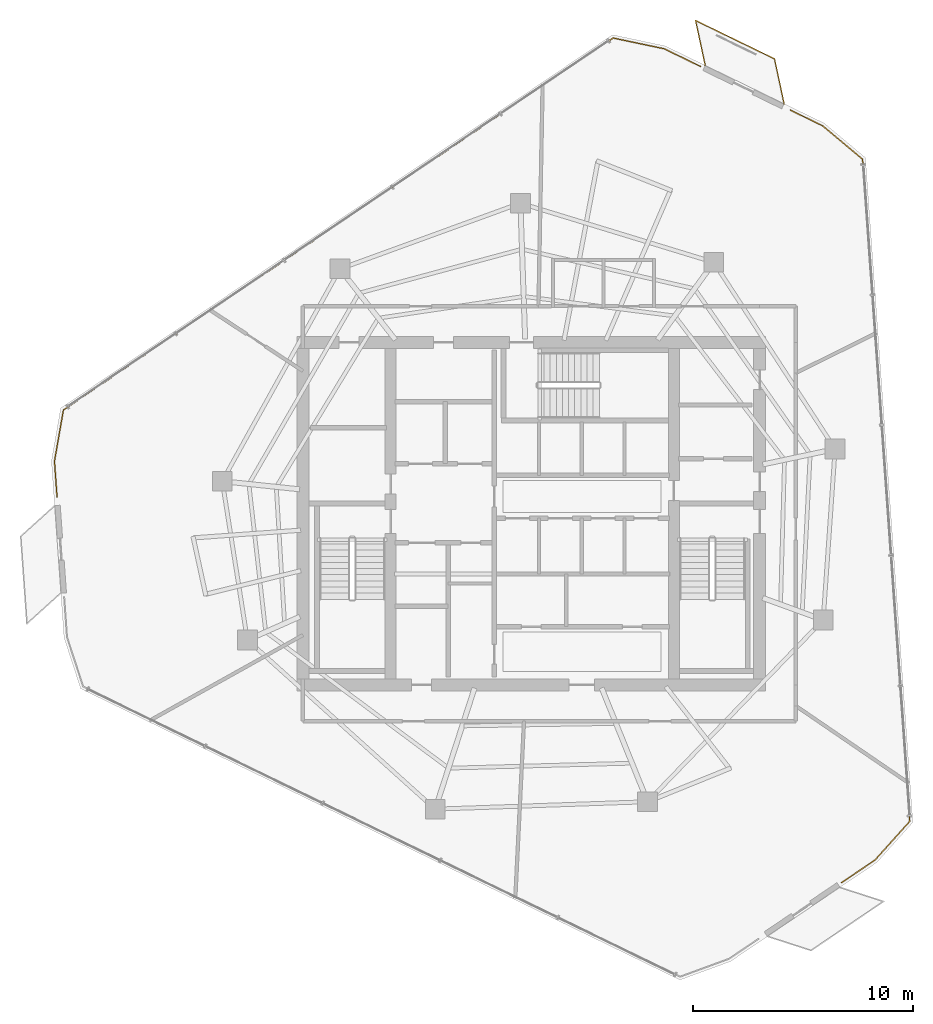
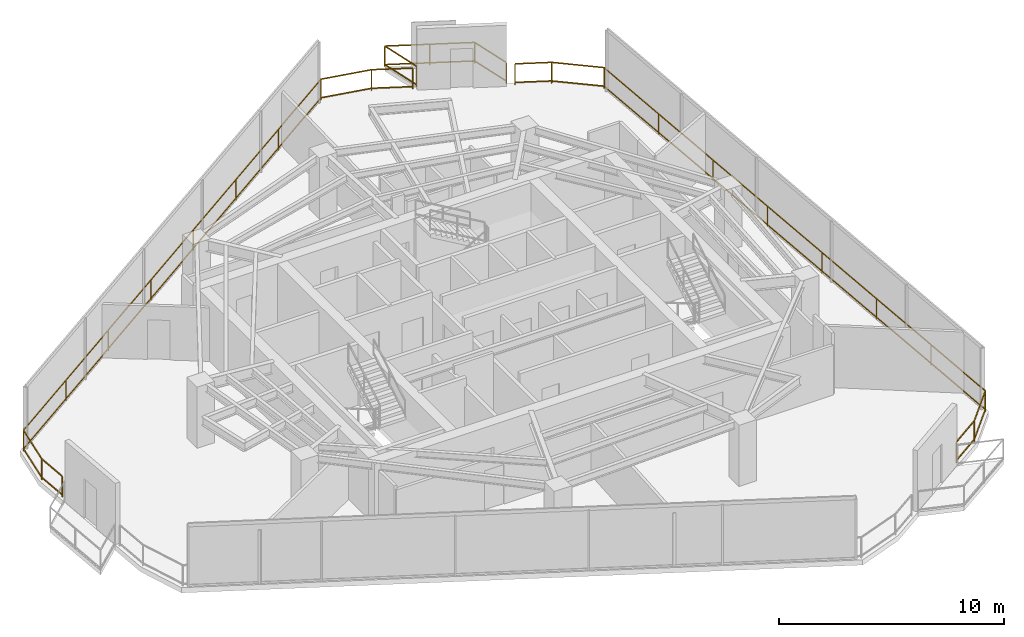
# One storey, part 20 of 20: 4 railings.
"""IFC4 building model written with IfcOpenShell, lengths in metres."""

from ifc_helpers import new_model, si_unit, direction, frame, origin, origin_2d, place, context, subcontext, project, spatial, rectangle, extrude, material, type_object, element, save


model = new_model("IFC4")

# Units and contexts
model_context = context("Model", 3, precision=1e-05, world=origin(), true_north=direction((0.0, 1.0)))
body_context = subcontext(model_context, "Body", "Model", "MODEL_VIEW")
ifc_project = project(units=[si_unit("LENGTHUNIT", "METRE"), si_unit("AREAUNIT", "SQUARE_METRE"), si_unit("VOLUMEUNIT", "CUBIC_METRE"), si_unit("PLANEANGLEUNIT", "RADIAN"), si_unit("MASSUNIT", "GRAM", prefix="KILO")], contexts=[model_context])

# Site, building, storey
site_placement = place(None, origin())
site = spatial("IfcSite", under=ifc_project, at=site_placement, CompositionType="ELEMENT")
building_placement = place(site_placement, origin())
building = spatial("IfcBuilding", under=site, at=building_placement, Name="Qarnah Convention Tower", CompositionType="ELEMENT")
storey_placement = place(building_placement, frame((0.0, 0.0, 195.0)))
storey = spatial("IfcBuildingStorey", under=building, at=storey_placement, Name="L52", CompositionType="ELEMENT", Elevation=195.0)

# Railings
ifc_material = material(Name="Black anodised aluminium", Category="aluminium")
railing_type = type_object("IfcRailingType", Name="RL-EXT-GUARD-1150", PredefinedType="GUARDRAIL", material=ifc_material)
railing_1_placement = place(storey_placement, frame((43.251953125, 47.574951171875, 0.0)))
element("IfcRailing", 1, at=railing_1_placement, inside=storey, type_object=railing_type, Name="L52 slab-edge perimeter safety guard 01", PredefinedType="GUARDRAIL", context=body_context, shape_type="SweptSolid", body=[
    extrude(rectangle(XDim=0.048095703125, YDim=0.048095703125, at=origin_2d()), frame((0.0, 0.0, 1.1259765625), z_axis=(0.899383059768, -0.437161425336, 0.0), x_axis=(0.437161425336, 0.899383059768, 0.0)), (0.0, 0.0, 1.0), 1.84130859375),
    extrude(rectangle(XDim=0.048095703125, YDim=0.048095703125, at=origin_2d()), frame((0.0, 0.0, 0.1201171875), z_axis=(0.899383059768, -0.437161425336, 0.0), x_axis=(0.437161425336, 0.899383059768, 0.0)), (0.0, 0.0, 1.0), 1.84130859375),
    extrude(rectangle(XDim=0.0419921875, YDim=0.0419921875, at=origin_2d()), origin(), (0.0, 0.0, 1.0), 1.101806640625),
    extrude(rectangle(XDim=0.0419921875, YDim=0.0419921875, at=origin_2d()), frame((1.656005859375, -0.804931640625, 0.0)), (0.0, 0.0, 1.0), 1.101806640625),
])
railing_2_placement = place(storey_placement, frame((49.007080078125, 44.778076171875, 0.0)))
element("IfcRailing", 2, at=railing_2_placement, inside=storey, type_object=railing_type, Name="L52 slab-edge perimeter safety guard 02", PredefinedType="GUARDRAIL", context=body_context, shape_type="SweptSolid", body=[
    extrude(rectangle(XDim=0.048095703125, YDim=0.048095703125, at=origin_2d()), frame((0.0, 0.0, 1.1259765625), z_axis=(0.899348207615, -0.437233120269, 0.0), x_axis=(0.437233120269, 0.899348207615, 0.0)), (0.0, 0.0, 1.0), 1.628662109375),
    extrude(rectangle(XDim=0.048095703125, YDim=0.048095703125, at=origin_2d()), frame((0.0, 0.0, 0.1201171875), z_axis=(0.899348207615, -0.437233120269, 0.0), x_axis=(0.437233120269, 0.899348207615, 0.0)), (0.0, 0.0, 1.0), 1.628662109375),
    extrude(rectangle(XDim=0.048095703125, YDim=0.048095703125, at=origin_2d()), frame((1.46484375, -0.712158203125, 1.1259765625), z_axis=(0.766962651303, -0.641691741809, 0.0), x_axis=(0.641691741809, 0.766962651303, 0.0)), (0.0, 0.0, 1.0), 2.371826171875),
    extrude(rectangle(XDim=0.048095703125, YDim=0.048095703125, at=origin_2d()), frame((1.46484375, -0.712158203125, 0.1201171875), z_axis=(0.766962651303, -0.641691741809, 0.0), x_axis=(0.641691741809, 0.766962651303, 0.0)), (0.0, 0.0, 1.0), 2.371826171875),
    extrude(rectangle(XDim=0.048095703125, YDim=0.048095703125, at=origin_2d()), frame((3.283935546875, -2.234130859375, 1.1259765625), z_axis=(0.071114476956, -0.997468160478, 0.0), x_axis=(0.997468160478, 0.071114476956, 0.0)), (0.0, 0.0, 1.0), 30.231689453125),
    extrude(rectangle(XDim=0.048095703125, YDim=0.048095703125, at=origin_2d()), frame((3.283935546875, -2.234130859375, 0.1201171875), z_axis=(0.071114476956, -0.997468160478, 0.0), x_axis=(0.997468160478, 0.071114476956, 0.0)), (0.0, 0.0, 1.0), 30.231689453125),
    extrude(rectangle(XDim=0.048095703125, YDim=0.048095703125, at=origin_2d()), frame((5.433837890625, -32.38916015625, 1.1259765625), z_axis=(-0.668139335387, -0.744036174194, 0.0), x_axis=(0.744036174194, -0.668139335387, 0.0)), (0.0, 0.0, 1.0), 2.370849609375),
    extrude(rectangle(XDim=0.048095703125, YDim=0.048095703125, at=origin_2d()), frame((5.433837890625, -32.38916015625, 0.1201171875), z_axis=(-0.668139335387, -0.744036174194, 0.0), x_axis=(0.744036174194, -0.668139335387, 0.0)), (0.0, 0.0, 1.0), 2.370849609375),
    extrude(rectangle(XDim=0.048095703125, YDim=0.048095703125, at=origin_2d()), frame((3.849853515625, -34.153076171875, 1.1259765625), z_axis=(-0.828254432718, -0.560352205923, 0.0), x_axis=(0.560352205923, -0.828254432718, 0.0)), (0.0, 0.0, 1.0), 1.83984375),
    extrude(rectangle(XDim=0.048095703125, YDim=0.048095703125, at=origin_2d()), frame((3.849853515625, -34.153076171875, 0.1201171875), z_axis=(-0.828254432718, -0.560352205923, 0.0), x_axis=(0.560352205923, -0.828254432718, 0.0)), (0.0, 0.0, 1.0), 1.83984375),
    extrude(rectangle(XDim=0.0419921875, YDim=0.0419921875, at=origin_2d()), origin(), (0.0, 0.0, 1.0), 1.101806640625),
    extrude(rectangle(XDim=0.0419921875, YDim=0.0419921875, at=origin_2d()), frame((1.46484375, -0.712158203125, 0.0)), (0.0, 0.0, 1.0), 1.101806640625),
    extrude(rectangle(XDim=0.0419921875, YDim=0.0419921875, at=origin_2d()), frame((3.283935546875, -2.234130859375, 0.0)), (0.0, 0.0, 1.0), 1.101806640625),
    extrude(rectangle(XDim=0.0419921875, YDim=0.0419921875, at=origin_2d()), frame((3.591064453125, -6.5419921875, 0.0)), (0.0, 0.0, 1.0), 1.101806640625),
    extrude(rectangle(XDim=0.0419921875, YDim=0.0419921875, at=origin_2d()), frame((3.898193359375, -10.849853515625, 0.0)), (0.0, 0.0, 1.0), 1.101806640625),
    extrude(rectangle(XDim=0.0419921875, YDim=0.0419921875, at=origin_2d()), frame((4.205322265625, -15.15771484375, 0.0)), (0.0, 0.0, 1.0), 1.101806640625),
    extrude(rectangle(XDim=0.0419921875, YDim=0.0419921875, at=origin_2d()), frame((4.512451171875, -19.465576171875, 0.0)), (0.0, 0.0, 1.0), 1.101806640625),
    extrude(rectangle(XDim=0.0419921875, YDim=0.0419921875, at=origin_2d()), frame((4.819580078125, -23.7734375, 0.0)), (0.0, 0.0, 1.0), 1.101806640625),
    extrude(rectangle(XDim=0.0419921875, YDim=0.0419921875, at=origin_2d()), frame((5.126708984375, -28.081298828125, 0.0)), (0.0, 0.0, 1.0), 1.101806640625),
    extrude(rectangle(XDim=0.0419921875, YDim=0.0419921875, at=origin_2d()), frame((5.433837890625, -32.38916015625, 0.0)), (0.0, 0.0, 1.0), 1.101806640625),
    extrude(rectangle(XDim=0.0419921875, YDim=0.0419921875, at=origin_2d()), frame((3.849853515625, -34.153076171875, 0.0)), (0.0, 0.0, 1.0), 1.101806640625),
    extrude(rectangle(XDim=0.0419921875, YDim=0.0419921875, at=origin_2d()), frame((2.325927734375, -35.18408203125, 0.0)), (0.0, 0.0, 1.0), 1.101806640625),
])
railing_3_placement = place(storey_placement, frame((15.60205078125, 27.1640625, 0.0)))
element("IfcRailing", 3, at=railing_3_placement, inside=storey, type_object=railing_type, Name="L52 slab-edge perimeter safety guard 04", PredefinedType="GUARDRAIL", context=body_context, shape_type="SweptSolid", body=[
    extrude(rectangle(XDim=0.048095703125, YDim=0.048095703125, at=origin_2d()), frame((0.0, 0.0, 1.1259765625), z_axis=(-0.07118315046, 0.997463262026, 0.0), x_axis=(-0.997463262026, -0.07118315046, 0.0)), (0.0, 0.0, 1.0), 1.629150390625),
    extrude(rectangle(XDim=0.048095703125, YDim=0.048095703125, at=origin_2d()), frame((0.0, 0.0, 0.1201171875), z_axis=(-0.07118315046, 0.997463262026, 0.0), x_axis=(-0.997463262026, -0.07118315046, 0.0)), (0.0, 0.0, 1.0), 1.629150390625),
    extrude(rectangle(XDim=0.048095703125, YDim=0.048095703125, at=origin_2d()), frame((-0.115966796875, 1.625, 1.1259765625), z_axis=(0.172180371246, 0.985065439327, 0.0), x_axis=(-0.985065439327, 0.172180371246, 0.0)), (0.0, 0.0, 1.0), 2.369384765625),
    extrude(rectangle(XDim=0.048095703125, YDim=0.048095703125, at=origin_2d()), frame((-0.115966796875, 1.625, 0.1201171875), z_axis=(0.172180371246, 0.985065439327, 0.0), x_axis=(-0.985065439327, 0.172180371246, 0.0)), (0.0, 0.0, 1.0), 2.369384765625),
    extrude(rectangle(XDim=0.048095703125, YDim=0.048095703125, at=origin_2d()), frame((0.2919921875, 3.958984375, 1.1259765625), z_axis=(0.828241522728, 0.560371287657, 0.0), x_axis=(-0.560371287657, 0.828241522728, 0.0)), (0.0, 0.0, 1.0), 30.231689453125),
    extrude(rectangle(XDim=0.048095703125, YDim=0.048095703125, at=origin_2d()), frame((0.2919921875, 3.958984375, 0.1201171875), z_axis=(0.828241522728, 0.560371287657, 0.0), x_axis=(-0.560371287657, 0.828241522728, 0.0)), (0.0, 0.0, 1.0), 30.231689453125),
    extrude(rectangle(XDim=0.048095703125, YDim=0.048095703125, at=origin_2d()), frame((25.3310546875, 20.89990234375, 1.1259765625), z_axis=(0.978478678901, -0.206347946287, 0.0), x_axis=(0.206347946287, 0.978478678901, 0.0)), (0.0, 0.0, 1.0), 2.369873046875),
    extrude(rectangle(XDim=0.048095703125, YDim=0.048095703125, at=origin_2d()), frame((25.3310546875, 20.89990234375, 0.1201171875), z_axis=(0.978478678901, -0.206347946287, 0.0), x_axis=(0.206347946287, 0.978478678901, 0.0)), (0.0, 0.0, 1.0), 2.369873046875),
    extrude(rectangle(XDim=0.0419921875, YDim=0.0419921875, at=origin_2d()), origin(), (0.0, 0.0, 1.0), 1.101806640625),
    extrude(rectangle(XDim=0.0419921875, YDim=0.0419921875, at=origin_2d()), frame((-0.115966796875, 1.625, 0.0)), (0.0, 0.0, 1.0), 1.101806640625),
    extrude(rectangle(XDim=0.0419921875, YDim=0.0419921875, at=origin_2d()), frame((0.2919921875, 3.958984375, 0.0)), (0.0, 0.0, 1.0), 1.101806640625),
    extrude(rectangle(XDim=0.0419921875, YDim=0.0419921875, at=origin_2d()), frame((3.868896484375, 6.379150390625, 0.0)), (0.0, 0.0, 1.0), 1.101806640625),
    extrude(rectangle(XDim=0.0419921875, YDim=0.0419921875, at=origin_2d()), frame((7.446044921875, 8.79931640625, 0.0)), (0.0, 0.0, 1.0), 1.101806640625),
    extrude(rectangle(XDim=0.0419921875, YDim=0.0419921875, at=origin_2d()), frame((11.02294921875, 11.219482421875, 0.0)), (0.0, 0.0, 1.0), 1.101806640625),
    extrude(rectangle(XDim=0.0419921875, YDim=0.0419921875, at=origin_2d()), frame((14.60009765625, 13.639404296875, 0.0)), (0.0, 0.0, 1.0), 1.101806640625),
    extrude(rectangle(XDim=0.0419921875, YDim=0.0419921875, at=origin_2d()), frame((18.177001953125, 16.0595703125, 0.0)), (0.0, 0.0, 1.0), 1.101806640625),
    extrude(rectangle(XDim=0.0419921875, YDim=0.0419921875, at=origin_2d()), frame((21.754150390625, 18.479736328125, 0.0)), (0.0, 0.0, 1.0), 1.101806640625),
    extrude(rectangle(XDim=0.0419921875, YDim=0.0419921875, at=origin_2d()), frame((25.3310546875, 20.89990234375, 0.0)), (0.0, 0.0, 1.0), 1.101806640625),
    extrude(rectangle(XDim=0.0419921875, YDim=0.0419921875, at=origin_2d()), frame((27.64990234375, 20.410888671875, 0.0)), (0.0, 0.0, 1.0), 1.101806640625),
])
railing_4_placement = place(storey_placement, frame((45.123046875, 46.81494140625, 0.0)))
element("IfcRailing", 4, at=railing_4_placement, inside=storey, type_object=railing_type, Name="L52 balcony safety guard BAL-L52-C1", PredefinedType="GUARDRAIL", context=body_context, shape_type="SweptSolid", body=[
    extrude(rectangle(XDim=0.048095703125, YDim=0.048095703125, at=origin_2d()), frame((0.0, 0.0, 1.1259765625), z_axis=(-0.209123072698, 0.977889329355, 0.0), x_axis=(-0.977889329355, -0.209123072698, 0.0)), (0.0, 0.0, 1.0), 2.094482421875),
    extrude(rectangle(XDim=0.048095703125, YDim=0.048095703125, at=origin_2d()), frame((0.0, 0.0, 0.1201171875), z_axis=(-0.209123072698, 0.977889329355, 0.0), x_axis=(-0.977889329355, -0.209123072698, 0.0)), (0.0, 0.0, 1.0), 2.094482421875),
    extrude(rectangle(XDim=0.048095703125, YDim=0.048095703125, at=origin_2d()), frame((-0.43798828125, 2.048095703125, 1.1259765625), z_axis=(0.899316845603, -0.437297623152, 0.0), x_axis=(0.437297623152, 0.899316845603, 0.0)), (0.0, 0.0, 1.0), 3.99951171875),
    extrude(rectangle(XDim=0.048095703125, YDim=0.048095703125, at=origin_2d()), frame((-0.43798828125, 2.048095703125, 0.1201171875), z_axis=(0.899316845603, -0.437297623152, 0.0), x_axis=(0.437297623152, 0.899316845603, 0.0)), (0.0, 0.0, 1.0), 3.99951171875),
    extrude(rectangle(XDim=0.048095703125, YDim=0.048095703125, at=origin_2d()), frame((3.158935546875, 0.299072265625, 1.1259765625), z_axis=(0.209218467497, -0.97786892417, 0.0), x_axis=(0.97786892417, 0.209218467497, 0.0)), (0.0, 0.0, 1.0), 2.093505859375),
    extrude(rectangle(XDim=0.048095703125, YDim=0.048095703125, at=origin_2d()), frame((3.158935546875, 0.299072265625, 0.1201171875), z_axis=(0.209218467497, -0.97786892417, 0.0), x_axis=(0.97786892417, 0.209218467497, 0.0)), (0.0, 0.0, 1.0), 2.093505859375),
    extrude(rectangle(XDim=0.0419921875, YDim=0.0419921875, at=origin_2d()), origin(), (0.0, 0.0, 1.0), 1.101806640625),
    extrude(rectangle(XDim=0.0419921875, YDim=0.0419921875, at=origin_2d()), frame((-0.43798828125, 2.048095703125, 0.0)), (0.0, 0.0, 1.0), 1.101806640625),
    extrude(rectangle(XDim=0.0419921875, YDim=0.0419921875, at=origin_2d()), frame((1.3603515625, 1.173583984375, 0.0)), (0.0, 0.0, 1.0), 1.101806640625),
    extrude(rectangle(XDim=0.0419921875, YDim=0.0419921875, at=origin_2d()), frame((3.158935546875, 0.299072265625, 0.0)), (0.0, 0.0, 1.0), 1.101806640625),
    extrude(rectangle(XDim=0.0419921875, YDim=0.0419921875, at=origin_2d()), frame((3.596923828125, -1.748046875, 0.0)), (0.0, 0.0, 1.0), 1.101806640625),
])

save(model, "model.ifc")
